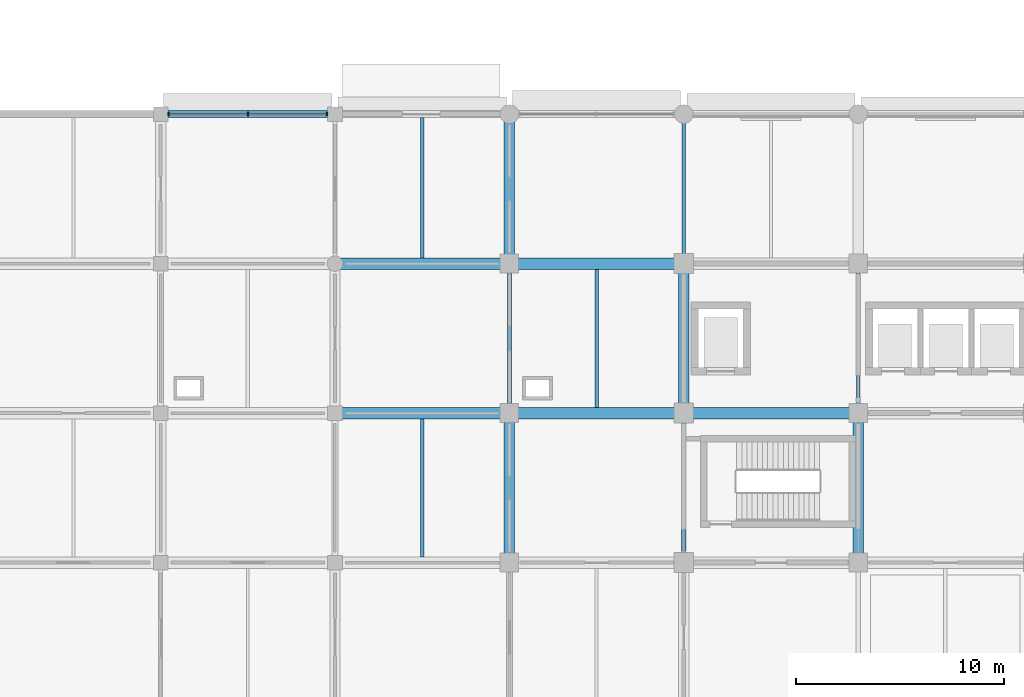
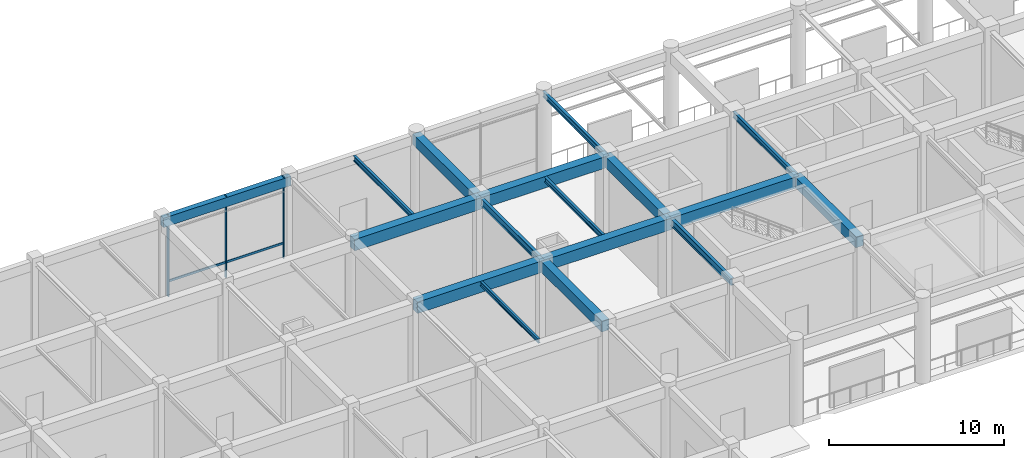
# One storey, part 6 of 39: 17 beams, 5 members, 1 element without a shape of its own.
"""IFC4 building model written with IfcOpenShell, lengths in metres."""

from ifc_helpers import new_model, si_unit, derived_unit, direction, frame, origin, origin_2d, place, context, subcontext, project, spatial, rectangle, i_section, extrude, material, material_profile, profile_set, type_object, element, aggregate, save


model = new_model("IFC4")

# Units and contexts
model_context = context("Model", 3, precision=1e-05, world=origin(), true_north=direction((0.0, 1.0)))
body_context = subcontext(model_context, "Body", "Model", "MODEL_VIEW")
ifc_project = project(units=[si_unit("LENGTHUNIT", "METRE"), si_unit("AREAUNIT", "SQUARE_METRE"), si_unit("VOLUMEUNIT", "CUBIC_METRE"), si_unit("PLANEANGLEUNIT", "RADIAN"), si_unit("MASSUNIT", "GRAM", prefix="KILO"), derived_unit("THERMALTRANSMITTANCEUNIT", [(si_unit("MASSUNIT", "GRAM", prefix="KILO"), 1), (si_unit("TIMEUNIT", "SECOND"), -3), (si_unit("THERMODYNAMICTEMPERATUREUNIT", "KELVIN"), -1)])], contexts=[model_context])

# Site, building, storey
site_placement = place(None, origin())
site = spatial("IfcSite", under=ifc_project, at=site_placement, CompositionType="ELEMENT")
building_placement = place(site_placement, origin())
building = spatial("IfcBuilding", under=site, at=building_placement, Name="Veldstrom Oceanarium and Marine Research Institute", CompositionType="ELEMENT")
storey_placement = place(building_placement, origin())
storey = spatial("IfcBuildingStorey", under=building, at=storey_placement, Name="L00", CompositionType="ELEMENT", Elevation=0.0)

# Curtain wall, members
ifc_material_1 = material(Name="Anodised Aluminium Framing", Category="aluminium")
curtain_wall_type = type_object("IfcCurtainWallType", Name="ARC-CW-CW01", PredefinedType="USERDEFINED", material=ifc_material_1)
curtain_wall_placement = place(storey_placement, origin())
curtain_wall = element("IfcCurtainWall", 1, at=curtain_wall_placement, inside=storey, type_object=curtain_wall_type, Name="Curtain Wall CW01 CW-L00-001", ObjectType="Curtain wall", PredefinedType="USERDEFINED")
ifc_material_2 = material(Name="Anodised Aluminium Framing", Category="aluminium")
ifc_material_profile_1 = material_profile(ifc_material_2, rectangle(XDim=0.074951171875, YDim=0.179931640625, at=origin_2d()), Name="ALU-MUL-75x180")
ifc_profile_set_1 = profile_set([ifc_material_profile_1], Name="Anodised Aluminium Framing")
member_type_1 = type_object("IfcMemberType", Name="ARC-MUL-ML1", PredefinedType="MULLION", material=ifc_profile_set_1)
member_1_placement = place(storey_placement, frame((50.7900390625, 72.0, 0.0), z_axis=(0.0, 0.0, 1.0), x_axis=(1.0, 0.0, 0.0)))
member_1 = element("IfcMember", 2, at=member_1_placement, type_object=member_type_1, Name="Curtain Wall Mullion CW-L00-001-MUL-1", PredefinedType="MULLION", context=body_context, shape_type="SweptSolid", body=[
    extrude(rectangle(XDim=0.074951171875, YDim=0.179931640625, at=origin_2d()), origin(), (0.0, 0.0, 1.0), 5.675048828125),
])
member_2_placement = place(storey_placement, frame((54.60009765625, 72.0, 0.0), z_axis=(0.0, 0.0, 1.0), x_axis=(1.0, 0.0, 0.0)))
member_2 = element("IfcMember", 3, at=member_2_placement, type_object=member_type_1, Name="Curtain Wall Mullion CW-L00-001-MUL-2", PredefinedType="MULLION", context=body_context, shape_type="SweptSolid", body=[
    extrude(rectangle(XDim=0.074951171875, YDim=0.179931640625, at=origin_2d()), origin(), (0.0, 0.0, 1.0), 5.675048828125),
])
member_3_placement = place(storey_placement, frame((58.409912109375, 72.0, 0.0), z_axis=(0.0, 0.0, 1.0), x_axis=(1.0, 0.0, 0.0)))
member_3 = element("IfcMember", 4, at=member_3_placement, type_object=member_type_1, Name="Curtain Wall Mullion CW-L00-001-MUL-3", PredefinedType="MULLION", context=body_context, shape_type="SweptSolid", body=[
    extrude(rectangle(XDim=0.074951171875, YDim=0.179931640625, at=origin_2d()), origin(), (0.0, 0.0, 1.0), 5.675048828125),
])
ifc_material_3 = material(Name="Anodised Aluminium Framing", Category="aluminium")
ifc_material_profile_2 = material_profile(ifc_material_3, rectangle(XDim=0.074951171875, YDim=0.14990234375, at=origin_2d()), Name="ALU-TRN-75x150")
ifc_profile_set_2 = profile_set([ifc_material_profile_2], Name="Anodised Aluminium Framing")
member_type_2 = type_object("IfcMemberType", Name="ARC-TRN-TR1", PredefinedType="USERDEFINED", material=ifc_profile_set_2)
member_4_placement = place(storey_placement, frame((50.830078125, 72.0, 1.050048828125), z_axis=(1.0, 0.0, 0.0), x_axis=(0.0, 1.0, 0.0)))
member_4 = element("IfcMember", 5, at=member_4_placement, type_object=member_type_2, Name="Curtain Wall Transom CW-L00-001-TRN-1", ObjectType="Transom", PredefinedType="USERDEFINED", context=body_context, shape_type="SweptSolid", body=[
    extrude(rectangle(XDim=0.074951171875, YDim=0.14990234375, at=origin_2d()), origin(), (0.0, 0.0, 1.0), 3.72998046875),
])
member_5_placement = place(storey_placement, frame((54.639892578125, 72.0, 1.050048828125), z_axis=(1.0, 0.0, 0.0), x_axis=(0.0, 1.0, 0.0)))
member_5 = element("IfcMember", 6, at=member_5_placement, type_object=member_type_2, Name="Curtain Wall Transom CW-L00-001-TRN-2", ObjectType="Transom", PredefinedType="USERDEFINED", context=body_context, shape_type="SweptSolid", body=[
    extrude(rectangle(XDim=0.074951171875, YDim=0.14990234375, at=origin_2d()), origin(), (0.0, 0.0, 1.0), 3.730224609375),
])
aggregate(curtain_wall, [member_1, member_2, member_3, member_4, member_5])

# Beams
ifc_material_4 = material(Name="Concrete C40/50", Category="concrete")
ifc_material_profile_3 = material_profile(ifc_material_4, rectangle(XDim=0.550048828125, YDim=0.800048828125, at=origin_2d()), Name="RC-BM-550x800")
ifc_profile_set_3 = profile_set([ifc_material_profile_3], Name="Concrete C40/50")
beam_type_1 = type_object("IfcBeamType", Name="STR-BM-B02", PredefinedType="BEAM", material=ifc_profile_set_3)
for number, where, z_axis, x_axis, name in (
    (7, (58.800048828125, 57.60009765625, 5.27001953125), (1.0, 0.0, 0.0), (0.0, 1.0, 0.0), "Primary Beam B02 L00-0794"),
    (8, (58.800048828125, 64.800048828125, 5.27001953125), (1.0, 0.0, 0.0), (0.0, 1.0, 0.0), "Primary Beam B02 L00-0795"),
):
    element("IfcBeam", number, at=place(storey_placement, frame(where, z_axis=z_axis, x_axis=x_axis)), inside=storey, type_object=beam_type_1, Name=name, PredefinedType="BEAM", context=body_context, shape_type="SweptSolid", body=[
        extrude(rectangle(XDim=0.550048828125, YDim=0.800048828125, at=origin_2d()), origin(), (0.0, 0.0, 1.0), 8.39990234375),
    ])
for number, where, z_axis, x_axis, name in (
    (9, (67.199951171875, 57.60009765625, 5.27001953125), (1.0, 0.0, 0.0), (0.0, 1.0, 0.0), "Primary Beam B02 L00-0799"),
    (10, (67.199951171875, 64.800048828125, 5.27001953125), (1.0, 0.0, 0.0), (0.0, 1.0, 0.0), "Primary Beam B02 L00-0800"),
):
    element("IfcBeam", number, at=place(storey_placement, frame(where, z_axis=z_axis, x_axis=x_axis)), inside=storey, type_object=beam_type_1, Name=name, PredefinedType="BEAM", context=body_context, shape_type="SweptSolid", body=[
        extrude(rectangle(XDim=0.550048828125, YDim=0.800048828125, at=origin_2d()), origin(), (0.0, 0.0, 1.0), 8.400146484375),
    ])
beam_1_placement = place(storey_placement, frame((75.60009765625, 57.60009765625, 5.27001953125), z_axis=(1.0, 0.0, 0.0), x_axis=(0.0, 1.0, 0.0)))
element("IfcBeam", 11, at=beam_1_placement, inside=storey, type_object=beam_type_1, Name="Primary Beam B02 L00-0804", PredefinedType="BEAM", context=body_context, shape_type="SweptSolid", body=[
    extrude(rectangle(XDim=0.550048828125, YDim=0.800048828125, at=origin_2d()), origin(), (0.0, 0.0, 1.0), 8.39990234375),
])
ifc_material_5 = material(Name="Concrete C40/50", Category="concrete")
ifc_material_profile_4 = material_profile(ifc_material_5, rectangle(XDim=0.5, YDim=0.75, at=origin_2d()), Name="RC-BM-500x750")
ifc_profile_set_4 = profile_set([ifc_material_profile_4], Name="Concrete C40/50")
beam_type_2 = type_object("IfcBeamType", Name="STR-BM-B03", PredefinedType="BEAM", material=ifc_profile_set_4)
beam_2_placement = place(storey_placement, frame((67.199951171875, 50.39990234375, 5.294921875), z_axis=(0.0, 1.0, 0.0), x_axis=(-1.0, 0.0, 0.0)))
element("IfcBeam", 12, at=beam_2_placement, inside=storey, type_object=beam_type_2, Name="Primary Beam B03 L00-0972", PredefinedType="BEAM", context=body_context, shape_type="SweptSolid", body=[
    extrude(rectangle(XDim=0.5, YDim=0.75, at=origin_2d()), origin(), (0.0, 0.0, 1.0), 7.2001953125),
])
for number, where, z_axis, x_axis, name in (
    (13, (67.199951171875, 64.800048828125, 5.294921875), (0.0, 1.0, 0.0), (-1.0, 0.0, 0.0), "Primary Beam B03 L00-0974"),
    (14, (75.60009765625, 57.60009765625, 5.294921875), (0.0, 1.0, 0.0), (-1.0, 0.0, 0.0), "Primary Beam B03 L00-0977"),
):
    element("IfcBeam", number, at=place(storey_placement, frame(where, z_axis=z_axis, x_axis=x_axis)), inside=storey, type_object=beam_type_2, Name=name, PredefinedType="BEAM", context=body_context, shape_type="SweptSolid", body=[
        extrude(rectangle(XDim=0.5, YDim=0.75, at=origin_2d()), origin(), (0.0, 0.0, 1.0), 7.199951171875),
    ])
beam_3_placement = place(storey_placement, frame((84.0, 50.39990234375, 5.294921875), z_axis=(0.0, 1.0, 0.0), x_axis=(-1.0, 0.0, 0.0)))
element("IfcBeam", 15, at=beam_3_placement, inside=storey, type_object=beam_type_2, Name="Primary Beam B03 L00-0980", PredefinedType="BEAM", context=body_context, shape_type="SweptSolid", body=[
    extrude(rectangle(XDim=0.5, YDim=0.75, at=origin_2d()), origin(), (0.0, 0.0, 1.0), 7.2001953125),
])
ifc_material_6 = material(Name="Steel S355JR", Category="steel")
ifc_material_profile_5 = material_profile(ifc_material_6, i_section(OverallWidth=0.199951171875, OverallDepth=0.5, WebThickness=0.01025390625, FlangeThickness=0.01611328125, FilletRadius=0.02099609375, at=origin_2d()), Name="IPE 500")
ifc_profile_set_5 = profile_set([ifc_material_profile_5], Name="Steel S355JR")
beam_type_3 = type_object("IfcBeamType", Name="STR-BM-SB6", PredefinedType="BEAM", material=ifc_profile_set_5)
beam_4_placement = place(storey_placement, frame((67.199951171875, 57.60009765625, 5.419921875), z_axis=(0.0, 1.0, 0.0), x_axis=(-1.0, 0.0, 0.0)))
element("IfcBeam", 16, at=beam_4_placement, inside=storey, type_object=beam_type_3, Name="Steel Tie Beam SB6 L00-0973", PredefinedType="BEAM", context=body_context, shape_type="SweptSolid", body=[
    extrude(i_section(OverallWidth=0.199951171875, OverallDepth=0.5, WebThickness=0.01025390625, FlangeThickness=0.01611328125, FilletRadius=0.02099609375, at=origin_2d()), origin(), (0.0, 0.0, 1.0), 7.199951171875),
])
beam_5_placement = place(storey_placement, frame((75.60009765625, 50.39990234375, 5.419921875), z_axis=(0.0, 1.0, 0.0), x_axis=(-1.0, 0.0, 0.0)))
element("IfcBeam", 17, at=beam_5_placement, inside=storey, type_object=beam_type_3, Name="Steel Tie Beam SB6 L00-0976", PredefinedType="BEAM", context=body_context, shape_type="SweptSolid", body=[
    extrude(i_section(OverallWidth=0.199951171875, OverallDepth=0.5, WebThickness=0.01025390625, FlangeThickness=0.01611328125, FilletRadius=0.02099609375, at=origin_2d()), origin(), (0.0, 0.0, 1.0), 7.2001953125),
])
ifc_material_7 = material(Name="Steel S355JR", Category="steel")
ifc_material_profile_6 = material_profile(ifc_material_7, i_section(OverallWidth=0.179931640625, OverallDepth=0.39990234375, WebThickness=0.008544921875, FlangeThickness=0.013427734375, FilletRadius=0.02099609375, at=origin_2d()), Name="IPE 400")
ifc_profile_set_6 = profile_set([ifc_material_profile_6], Name="Steel S355JR")
beam_type_4 = type_object("IfcBeamType", Name="STR-BM-SB8", PredefinedType="BEAM", material=ifc_profile_set_6)
for number, where, z_axis, x_axis, name in (
    (18, (75.60009765625, 64.800048828125, 5.469970703125), (0.0, 1.0, 0.0), (-1.0, 0.0, 0.0), "Steel Tie Beam SB8 L00-0978"),
    (19, (84.0, 57.60009765625, 5.469970703125), (0.0, 1.0, 0.0), (-1.0, 0.0, 0.0), "Steel Tie Beam SB8 L00-0981"),
):
    element("IfcBeam", number, at=place(storey_placement, frame(where, z_axis=z_axis, x_axis=x_axis)), inside=storey, type_object=beam_type_4, Name=name, PredefinedType="BEAM", context=body_context, shape_type="SweptSolid", body=[
        extrude(i_section(OverallWidth=0.179931640625, OverallDepth=0.39990234375, WebThickness=0.008544921875, FlangeThickness=0.013427734375, FilletRadius=0.02099609375, at=origin_2d()), origin(), (0.0, 0.0, 1.0), 7.199951171875),
    ])
ifc_material_8 = material(Name="Steel S355JR", Category="steel")
ifc_material_profile_7 = material_profile(ifc_material_8, i_section(OverallWidth=0.169921875, OverallDepth=0.360107421875, WebThickness=0.008056640625, FlangeThickness=0.0126953125, FilletRadius=0.01806640625, at=origin_2d()), Name="IPE 360")
ifc_profile_set_7 = profile_set([ifc_material_profile_7], Name="Steel S355JR")
beam_type_5 = type_object("IfcBeamType", Name="STR-JST-SJ1", PredefinedType="JOIST", material=ifc_profile_set_7)
beam_6_placement = place(storey_placement, frame((63.0, 65.074951171875, 5.489990234375), z_axis=(0.0, 1.0, 0.0), x_axis=(-1.0, 0.0, 0.0)))
element("IfcBeam", 20, at=beam_6_placement, inside=storey, type_object=beam_type_5, Name="Secondary Joist SJ1 L00-1095", PredefinedType="JOIST", context=body_context, shape_type="SweptSolid", body=[
    extrude(i_section(OverallWidth=0.169921875, OverallDepth=0.360107421875, WebThickness=0.008056640625, FlangeThickness=0.0126953125, FilletRadius=0.01806640625, at=origin_2d()), origin(), (0.0, 0.0, 1.0), 6.75),
])
beam_7_placement = place(storey_placement, frame((71.39990234375, 57.875, 5.489990234375), z_axis=(0.0, 1.0, 0.0), x_axis=(-1.0, 0.0, 0.0)))
element("IfcBeam", 21, at=beam_7_placement, inside=storey, type_object=beam_type_5, Name="Secondary Joist SJ1 L00-1097", PredefinedType="JOIST", context=body_context, shape_type="SweptSolid", body=[
    extrude(i_section(OverallWidth=0.169921875, OverallDepth=0.360107421875, WebThickness=0.008056640625, FlangeThickness=0.0126953125, FilletRadius=0.01806640625, at=origin_2d()), origin(), (0.0, 0.0, 1.0), 6.64990234375),
])
ifc_material_9 = material(Name="Steel S355JR", Category="steel")
ifc_material_profile_8 = material_profile(ifc_material_9, i_section(OverallWidth=0.14990234375, OverallDepth=0.300048828125, WebThickness=0.007080078125, FlangeThickness=0.0107421875, FilletRadius=0.014892578125, at=origin_2d()), Name="IPE 300")
ifc_profile_set_8 = profile_set([ifc_material_profile_8], Name="Steel S355JR")
beam_type_6 = type_object("IfcBeamType", Name="STR-JST-SJ2", PredefinedType="JOIST", material=ifc_profile_set_8)
beam_8_placement = place(storey_placement, frame((63.0, 50.675048828125, 5.52001953125), z_axis=(0.0, 1.0, 0.0), x_axis=(-1.0, 0.0, 0.0)))
element("IfcBeam", 22, at=beam_8_placement, inside=storey, type_object=beam_type_6, Name="Secondary Joist SJ2 L00-1094", PredefinedType="JOIST", context=body_context, shape_type="SweptSolid", body=[
    extrude(i_section(OverallWidth=0.14990234375, OverallDepth=0.300048828125, WebThickness=0.007080078125, FlangeThickness=0.0107421875, FilletRadius=0.014892578125, at=origin_2d()), origin(), (0.0, 0.0, 1.0), 6.64990234375),
])
ifc_material_10 = material(Name="Concrete C40/50", Category="concrete")
ifc_material_profile_9 = material_profile(ifc_material_10, rectangle(XDim=0.35009765625, YDim=0.64990234375, at=origin_2d()), Name="RC-SPN-350x650")
ifc_profile_set_9 = profile_set([ifc_material_profile_9], Name="Concrete C40/50")
beam_type_7 = type_object("IfcBeamType", Name="STR-SPN-SP1", PredefinedType="SPANDREL", material=ifc_profile_set_9)
beam_9_placement = place(storey_placement, frame((50.39990234375, 72.0, 5.344970703125), z_axis=(1.0, 0.0, 0.0), x_axis=(0.0, 1.0, 0.0)))
element("IfcBeam", 23, at=beam_9_placement, inside=storey, type_object=beam_type_7, Name="Perimeter Spandrel SPB1 L00-0785", PredefinedType="SPANDREL", context=body_context, shape_type="SweptSolid", body=[
    extrude(rectangle(XDim=0.35009765625, YDim=0.64990234375, at=origin_2d()), origin(), (0.0, 0.0, 1.0), 8.400146484375),
])

save(model, "model.ifc")
